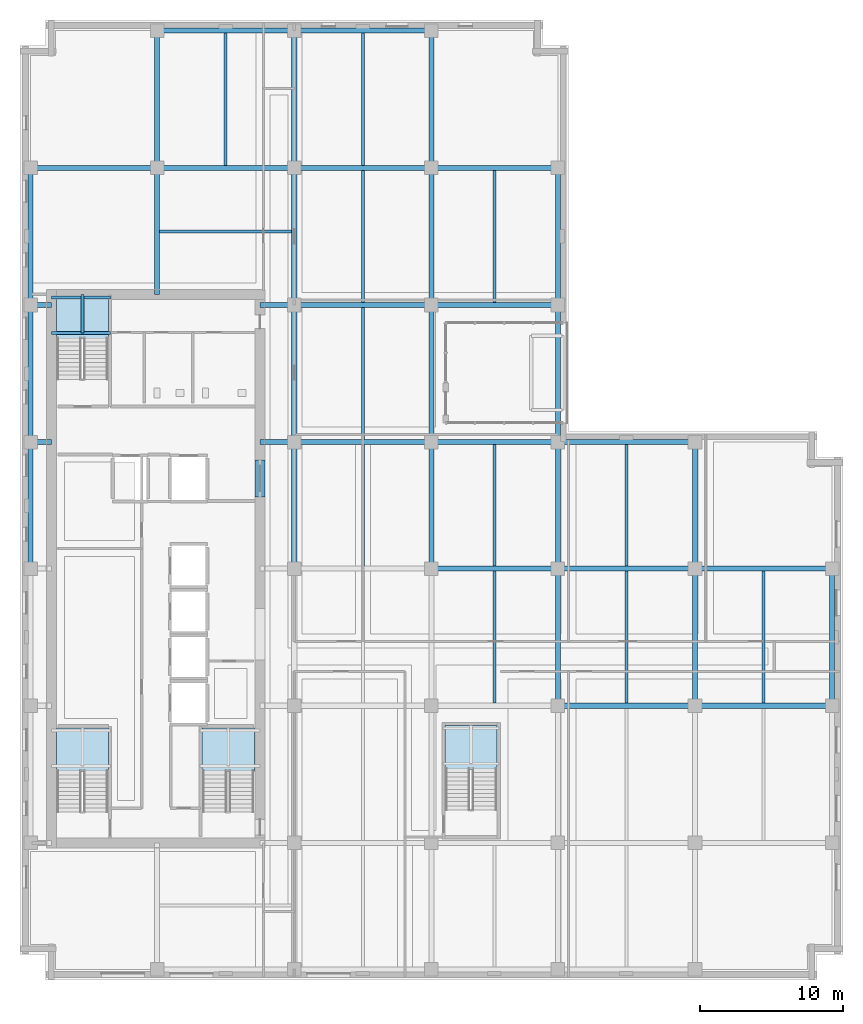
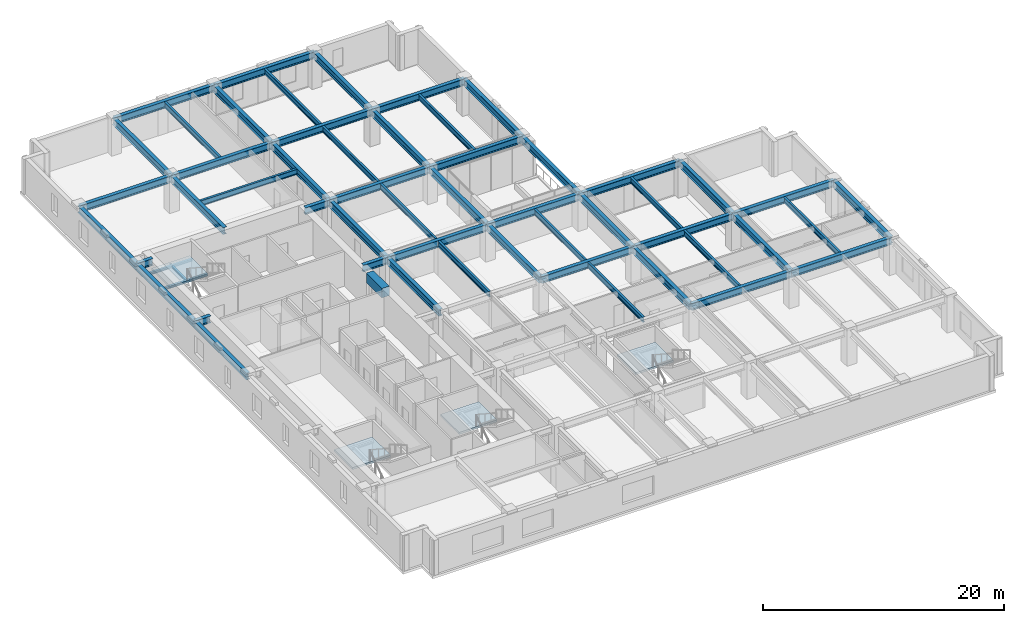
# One storey, part 2 of 16: 56 beams, 4 slabs, 4 elements without a shape of their own.
"""IFC4 building model written with IfcOpenShell, lengths in metres."""

from ifc_helpers import new_model, si_unit, direction, frame, origin, origin_2d, place, context, subcontext, project, spatial, polyline, rectangle, i_section, outline, extrude, material, layer, layer_set, material_profile, profile_set, type_object, element, aggregate, save


model = new_model("IFC4")

# Units and contexts
model_context = context("Model", 3, precision=1e-05, world=origin(), true_north=direction((0.0, 1.0)))
body_context = subcontext(model_context, "Body", "Model", "MODEL_VIEW")
ifc_project = project(units=[si_unit("LENGTHUNIT", "METRE"), si_unit("AREAUNIT", "SQUARE_METRE"), si_unit("VOLUMEUNIT", "CUBIC_METRE"), si_unit("PLANEANGLEUNIT", "RADIAN"), si_unit("MASSUNIT", "GRAM", prefix="KILO")], contexts=[model_context])

# Site, building, storey
site_placement = place(None, origin())
site = spatial("IfcSite", under=ifc_project, at=site_placement, CompositionType="ELEMENT")
building_placement = place(site_placement, origin())
building = spatial("IfcBuilding", under=site, at=building_placement, Name="Norrvale University Quadrangle", CompositionType="ELEMENT")
storey_placement = place(building_placement, frame((0.0, 0.0, 167.39990234375)))
storey = spatial("IfcBuildingStorey", under=building, at=storey_placement, Name="L42", CompositionType="ELEMENT", Elevation=167.39990234375)

# Beams
ifc_material_1 = material(Name="Steel 350W", Category="steel")
ifc_material_profile_1 = material_profile(ifc_material_1, i_section(OverallWidth=0.35498046875, OverallDepth=0.695068359375, WebThickness=0.015380859375, FlangeThickness=0.02490234375, FilletRadius=0.01806640625, at=origin_2d()), Name="Steel 350W")
ifc_profile_set_1 = profile_set([ifc_material_profile_1], Name="Steel 350W")
beam_type_1 = type_object("IfcBeamType", Name="Beam Belt W690x217", PredefinedType="BEAM", material=ifc_profile_set_1)
for number, where, z_axis, x_axis, name in (
    (1, (37.64990234375, 19.199951171875, 3.192626953125), (1.0, 0.0, 0.0), (0.0, 1.0, 0.0), "Beam Belt W690x217 BM-L42-GX011"),
    (2, (47.25, 19.199951171875, 3.192626953125), (1.0, 0.0, 0.0), (0.0, 1.0, 0.0), "Beam Belt W690x217 BM-L42-GX012"),
):
    element("IfcBeam", number, at=place(storey_placement, frame(where, z_axis=z_axis, x_axis=x_axis)), inside=storey, type_object=beam_type_1, Name=name, PredefinedType="BEAM", context=body_context, shape_type="SweptSolid", body=[
        extrude(i_section(OverallWidth=0.35498046875, OverallDepth=0.695068359375, WebThickness=0.015380859375, FlangeThickness=0.02490234375, FilletRadius=0.01806640625, at=origin_2d()), origin(), (0.0, 0.0, 1.0), 9.60009765625),
    ])
beam_1_placement = place(storey_placement, frame((28.800048828125, 28.800048828125, 3.192626953125), z_axis=(1.0, 0.0, 0.0), x_axis=(0.0, 1.0, 0.0)))
element("IfcBeam", 3, at=beam_1_placement, inside=storey, type_object=beam_type_1, Name="Beam Belt W690x217 BM-L42-GX014", PredefinedType="BEAM", context=body_context, shape_type="SweptSolid", body=[
    extrude(i_section(OverallWidth=0.35498046875, OverallDepth=0.695068359375, WebThickness=0.015380859375, FlangeThickness=0.02490234375, FilletRadius=0.01806640625, at=origin_2d()), origin(), (0.0, 0.0, 1.0), 8.849853515625),
])
for number, where, z_axis, x_axis, name in (
    (4, (37.64990234375, 28.800048828125, 3.192626953125), (1.0, 0.0, 0.0), (0.0, 1.0, 0.0), "Beam Belt W690x217 BM-L42-GX015"),
    (5, (47.25, 28.800048828125, 3.192626953125), (1.0, 0.0, 0.0), (0.0, 1.0, 0.0), "Beam Belt W690x217 BM-L42-GX016"),
    (6, (19.199951171875, 37.64990234375, 3.192626953125), (1.0, 0.0, 0.0), (0.0, 1.0, 0.0), "Beam Belt W690x217 BM-L42-GX017"),
):
    element("IfcBeam", number, at=place(storey_placement, frame(where, z_axis=z_axis, x_axis=x_axis)), inside=storey, type_object=beam_type_1, Name=name, PredefinedType="BEAM", context=body_context, shape_type="SweptSolid", body=[
        extrude(i_section(OverallWidth=0.35498046875, OverallDepth=0.695068359375, WebThickness=0.015380859375, FlangeThickness=0.02490234375, FilletRadius=0.01806640625, at=origin_2d()), origin(), (0.0, 0.0, 1.0), 9.60009765625),
    ])
beam_2_placement = place(storey_placement, frame((28.800048828125, 37.64990234375, 3.192626953125), z_axis=(1.0, 0.0, 0.0), x_axis=(0.0, 1.0, 0.0)))
element("IfcBeam", 7, at=beam_2_placement, inside=storey, type_object=beam_type_1, Name="Beam Belt W690x217 BM-L42-GX018", PredefinedType="BEAM", context=body_context, shape_type="SweptSolid", body=[
    extrude(i_section(OverallWidth=0.35498046875, OverallDepth=0.695068359375, WebThickness=0.015380859375, FlangeThickness=0.02490234375, FilletRadius=0.01806640625, at=origin_2d()), origin(), (0.0, 0.0, 1.0), 8.849853515625),
])
for number, where, z_axis, x_axis, name in (
    (8, (37.64990234375, 37.64990234375, 3.192626953125), (1.0, 0.0, 0.0), (0.0, 1.0, 0.0), "Beam Belt W690x217 BM-L42-GX019"),
    (9, (19.199951171875, 47.25, 3.192626953125), (1.0, 0.0, 0.0), (0.0, 1.0, 0.0), "Beam Belt W690x217 BM-L42-GX020"),
):
    element("IfcBeam", number, at=place(storey_placement, frame(where, z_axis=z_axis, x_axis=x_axis)), inside=storey, type_object=beam_type_1, Name=name, PredefinedType="BEAM", context=body_context, shape_type="SweptSolid", body=[
        extrude(i_section(OverallWidth=0.35498046875, OverallDepth=0.695068359375, WebThickness=0.015380859375, FlangeThickness=0.02490234375, FilletRadius=0.01806640625, at=origin_2d()), origin(), (0.0, 0.0, 1.0), 9.60009765625),
    ])
beam_3_placement = place(storey_placement, frame((28.800048828125, 47.25, 3.192626953125), z_axis=(1.0, 0.0, 0.0), x_axis=(0.0, 1.0, 0.0)))
element("IfcBeam", 10, at=beam_3_placement, inside=storey, type_object=beam_type_1, Name="Beam Belt W690x217 BM-L42-GX021", PredefinedType="BEAM", context=body_context, shape_type="SweptSolid", body=[
    extrude(i_section(OverallWidth=0.35498046875, OverallDepth=0.695068359375, WebThickness=0.015380859375, FlangeThickness=0.02490234375, FilletRadius=0.01806640625, at=origin_2d()), origin(), (0.0, 0.0, 1.0), 8.849853515625),
])
beam_4_placement = place(storey_placement, frame((0.75, 56.85009765625, 3.192626953125), z_axis=(1.0, 0.0, 0.0), x_axis=(0.0, 1.0, 0.0)))
element("IfcBeam", 11, at=beam_4_placement, inside=storey, type_object=beam_type_1, Name="Beam Belt W690x217 BM-L42-GX022", PredefinedType="BEAM", context=body_context, shape_type="SweptSolid", body=[
    extrude(i_section(OverallWidth=0.35498046875, OverallDepth=0.695068359375, WebThickness=0.015380859375, FlangeThickness=0.02490234375, FilletRadius=0.01806640625, at=origin_2d()), origin(), (0.0, 0.0, 1.0), 8.85009765625),
])
beam_5_placement = place(storey_placement, frame((9.60009765625, 56.85009765625, 3.192626953125), z_axis=(1.0, 0.0, 0.0), x_axis=(0.0, 1.0, 0.0)))
element("IfcBeam", 12, at=beam_5_placement, inside=storey, type_object=beam_type_1, Name="Beam Belt W690x217 BM-L42-GX023", PredefinedType="BEAM", context=body_context, shape_type="SweptSolid", body=[
    extrude(i_section(OverallWidth=0.35498046875, OverallDepth=0.695068359375, WebThickness=0.015380859375, FlangeThickness=0.02490234375, FilletRadius=0.01806640625, at=origin_2d()), origin(), (0.0, 0.0, 1.0), 9.599853515625),
])
beam_6_placement = place(storey_placement, frame((19.199951171875, 56.85009765625, 3.192626953125), z_axis=(1.0, 0.0, 0.0), x_axis=(0.0, 1.0, 0.0)))
element("IfcBeam", 13, at=beam_6_placement, inside=storey, type_object=beam_type_1, Name="Beam Belt W690x217 BM-L42-GX024", PredefinedType="BEAM", context=body_context, shape_type="SweptSolid", body=[
    extrude(i_section(OverallWidth=0.35498046875, OverallDepth=0.695068359375, WebThickness=0.015380859375, FlangeThickness=0.02490234375, FilletRadius=0.01806640625, at=origin_2d()), origin(), (0.0, 0.0, 1.0), 9.60009765625),
])
beam_7_placement = place(storey_placement, frame((28.800048828125, 56.85009765625, 3.192626953125), z_axis=(1.0, 0.0, 0.0), x_axis=(0.0, 1.0, 0.0)))
element("IfcBeam", 14, at=beam_7_placement, inside=storey, type_object=beam_type_1, Name="Beam Belt W690x217 BM-L42-GX025", PredefinedType="BEAM", context=body_context, shape_type="SweptSolid", body=[
    extrude(i_section(OverallWidth=0.35498046875, OverallDepth=0.695068359375, WebThickness=0.015380859375, FlangeThickness=0.02490234375, FilletRadius=0.01806640625, at=origin_2d()), origin(), (0.0, 0.0, 1.0), 8.849853515625),
])
beam_8_placement = place(storey_placement, frame((9.60009765625, 66.449951171875, 3.192626953125), z_axis=(1.0, 0.0, 0.0), x_axis=(0.0, 1.0, 0.0)))
element("IfcBeam", 15, at=beam_8_placement, inside=storey, type_object=beam_type_1, Name="Beam Belt W690x217 BM-L42-GX026", PredefinedType="BEAM", context=body_context, shape_type="SweptSolid", body=[
    extrude(i_section(OverallWidth=0.35498046875, OverallDepth=0.695068359375, WebThickness=0.015380859375, FlangeThickness=0.02490234375, FilletRadius=0.01806640625, at=origin_2d()), origin(), (0.0, 0.0, 1.0), 9.599853515625),
])
beam_9_placement = place(storey_placement, frame((19.199951171875, 66.449951171875, 3.192626953125), z_axis=(1.0, 0.0, 0.0), x_axis=(0.0, 1.0, 0.0)))
element("IfcBeam", 16, at=beam_9_placement, inside=storey, type_object=beam_type_1, Name="Beam Belt W690x217 BM-L42-GX027", PredefinedType="BEAM", context=body_context, shape_type="SweptSolid", body=[
    extrude(i_section(OverallWidth=0.35498046875, OverallDepth=0.695068359375, WebThickness=0.015380859375, FlangeThickness=0.02490234375, FilletRadius=0.01806640625, at=origin_2d()), origin(), (0.0, 0.0, 1.0), 9.60009765625),
])
beam_10_placement = place(storey_placement, frame((0.75, 28.800048828125, 3.192626953125), z_axis=(0.0, 1.0, 0.0), x_axis=(-1.0, 0.0, 0.0)))
element("IfcBeam", 17, at=beam_10_placement, inside=storey, type_object=beam_type_1, Name="Beam Belt W690x217 BM-L42-GY030", PredefinedType="BEAM", context=body_context, shape_type="SweptSolid", body=[
    extrude(i_section(OverallWidth=0.35498046875, OverallDepth=0.695068359375, WebThickness=0.015380859375, FlangeThickness=0.02490234375, FilletRadius=0.01806640625, at=origin_2d()), origin(), (0.0, 0.0, 1.0), 8.849853515625),
])
for number, where, z_axis, x_axis, name in (
    (18, (0.75, 37.64990234375, 3.192626953125), (0.0, 1.0, 0.0), (-1.0, 0.0, 0.0), "Beam Belt W690x217 BM-L42-GY031"),
    (19, (0.75, 47.25, 3.192626953125), (0.0, 1.0, 0.0), (-1.0, 0.0, 0.0), "Beam Belt W690x217 BM-L42-GY032"),
):
    element("IfcBeam", number, at=place(storey_placement, frame(where, z_axis=z_axis, x_axis=x_axis)), inside=storey, type_object=beam_type_1, Name=name, PredefinedType="BEAM", context=body_context, shape_type="SweptSolid", body=[
        extrude(i_section(OverallWidth=0.35498046875, OverallDepth=0.695068359375, WebThickness=0.015380859375, FlangeThickness=0.02490234375, FilletRadius=0.01806640625, at=origin_2d()), origin(), (0.0, 0.0, 1.0), 9.60009765625),
    ])
beam_11_placement = place(storey_placement, frame((9.60009765625, 56.85009765625, 3.192626953125), z_axis=(0.0, 1.0, 0.0), x_axis=(-1.0, 0.0, 0.0)))
element("IfcBeam", 20, at=beam_11_placement, inside=storey, type_object=beam_type_1, Name="Beam Belt W690x217 BM-L42-GY033", PredefinedType="BEAM", context=body_context, shape_type="SweptSolid", body=[
    extrude(i_section(OverallWidth=0.35498046875, OverallDepth=0.695068359375, WebThickness=0.015380859375, FlangeThickness=0.02490234375, FilletRadius=0.01806640625, at=origin_2d()), origin(), (0.0, 0.0, 1.0), 9.599853515625),
])
beam_12_placement = place(storey_placement, frame((19.199951171875, 28.800048828125, 3.192626953125), z_axis=(0.0, 1.0, 0.0), x_axis=(-1.0, 0.0, 0.0)))
element("IfcBeam", 21, at=beam_12_placement, inside=storey, type_object=beam_type_1, Name="Beam Belt W690x217 BM-L42-GY037", PredefinedType="BEAM", context=body_context, shape_type="SweptSolid", body=[
    extrude(i_section(OverallWidth=0.35498046875, OverallDepth=0.695068359375, WebThickness=0.015380859375, FlangeThickness=0.02490234375, FilletRadius=0.01806640625, at=origin_2d()), origin(), (0.0, 0.0, 1.0), 8.849853515625),
])
for number, where, z_axis, x_axis, name in (
    (22, (19.199951171875, 37.64990234375, 3.192626953125), (0.0, 1.0, 0.0), (-1.0, 0.0, 0.0), "Beam Belt W690x217 BM-L42-GY038"),
    (23, (19.199951171875, 47.25, 3.192626953125), (0.0, 1.0, 0.0), (-1.0, 0.0, 0.0), "Beam Belt W690x217 BM-L42-GY039"),
):
    element("IfcBeam", number, at=place(storey_placement, frame(where, z_axis=z_axis, x_axis=x_axis)), inside=storey, type_object=beam_type_1, Name=name, PredefinedType="BEAM", context=body_context, shape_type="SweptSolid", body=[
        extrude(i_section(OverallWidth=0.35498046875, OverallDepth=0.695068359375, WebThickness=0.015380859375, FlangeThickness=0.02490234375, FilletRadius=0.01806640625, at=origin_2d()), origin(), (0.0, 0.0, 1.0), 9.60009765625),
    ])
beam_13_placement = place(storey_placement, frame((19.199951171875, 56.85009765625, 3.192626953125), z_axis=(0.0, 1.0, 0.0), x_axis=(-1.0, 0.0, 0.0)))
element("IfcBeam", 24, at=beam_13_placement, inside=storey, type_object=beam_type_1, Name="Beam Belt W690x217 BM-L42-GY040", PredefinedType="BEAM", context=body_context, shape_type="SweptSolid", body=[
    extrude(i_section(OverallWidth=0.35498046875, OverallDepth=0.695068359375, WebThickness=0.015380859375, FlangeThickness=0.02490234375, FilletRadius=0.01806640625, at=origin_2d()), origin(), (0.0, 0.0, 1.0), 9.599853515625),
])
beam_14_placement = place(storey_placement, frame((28.800048828125, 28.800048828125, 3.192626953125), z_axis=(0.0, 1.0, 0.0), x_axis=(-1.0, 0.0, 0.0)))
element("IfcBeam", 25, at=beam_14_placement, inside=storey, type_object=beam_type_1, Name="Beam Belt W690x217 BM-L42-GY044", PredefinedType="BEAM", context=body_context, shape_type="SweptSolid", body=[
    extrude(i_section(OverallWidth=0.35498046875, OverallDepth=0.695068359375, WebThickness=0.015380859375, FlangeThickness=0.02490234375, FilletRadius=0.01806640625, at=origin_2d()), origin(), (0.0, 0.0, 1.0), 8.849853515625),
])
for number, where, z_axis, x_axis, name in (
    (26, (28.800048828125, 37.64990234375, 3.192626953125), (0.0, 1.0, 0.0), (-1.0, 0.0, 0.0), "Beam Belt W690x217 BM-L42-GY045"),
    (27, (28.800048828125, 47.25, 3.192626953125), (0.0, 1.0, 0.0), (-1.0, 0.0, 0.0), "Beam Belt W690x217 BM-L42-GY046"),
):
    element("IfcBeam", number, at=place(storey_placement, frame(where, z_axis=z_axis, x_axis=x_axis)), inside=storey, type_object=beam_type_1, Name=name, PredefinedType="BEAM", context=body_context, shape_type="SweptSolid", body=[
        extrude(i_section(OverallWidth=0.35498046875, OverallDepth=0.695068359375, WebThickness=0.015380859375, FlangeThickness=0.02490234375, FilletRadius=0.01806640625, at=origin_2d()), origin(), (0.0, 0.0, 1.0), 9.60009765625),
    ])
beam_15_placement = place(storey_placement, frame((28.800048828125, 56.85009765625, 3.192626953125), z_axis=(0.0, 1.0, 0.0), x_axis=(-1.0, 0.0, 0.0)))
element("IfcBeam", 28, at=beam_15_placement, inside=storey, type_object=beam_type_1, Name="Beam Belt W690x217 BM-L42-GY047", PredefinedType="BEAM", context=body_context, shape_type="SweptSolid", body=[
    extrude(i_section(OverallWidth=0.35498046875, OverallDepth=0.695068359375, WebThickness=0.015380859375, FlangeThickness=0.02490234375, FilletRadius=0.01806640625, at=origin_2d()), origin(), (0.0, 0.0, 1.0), 9.599853515625),
])
beam_16_placement = place(storey_placement, frame((37.64990234375, 19.199951171875, 3.192626953125), z_axis=(0.0, 1.0, 0.0), x_axis=(-1.0, 0.0, 0.0)))
element("IfcBeam", 29, at=beam_16_placement, inside=storey, type_object=beam_type_1, Name="Beam Belt W690x217 BM-L42-GY050", PredefinedType="BEAM", context=body_context, shape_type="SweptSolid", body=[
    extrude(i_section(OverallWidth=0.35498046875, OverallDepth=0.695068359375, WebThickness=0.015380859375, FlangeThickness=0.02490234375, FilletRadius=0.01806640625, at=origin_2d()), origin(), (0.0, 0.0, 1.0), 9.60009765625),
])
beam_17_placement = place(storey_placement, frame((37.64990234375, 28.800048828125, 3.192626953125), z_axis=(0.0, 1.0, 0.0), x_axis=(-1.0, 0.0, 0.0)))
element("IfcBeam", 30, at=beam_17_placement, inside=storey, type_object=beam_type_1, Name="Beam Belt W690x217 BM-L42-GY051", PredefinedType="BEAM", context=body_context, shape_type="SweptSolid", body=[
    extrude(i_section(OverallWidth=0.35498046875, OverallDepth=0.695068359375, WebThickness=0.015380859375, FlangeThickness=0.02490234375, FilletRadius=0.01806640625, at=origin_2d()), origin(), (0.0, 0.0, 1.0), 8.849853515625),
])
for number, where, z_axis, x_axis, name in (
    (31, (37.64990234375, 37.64990234375, 3.192626953125), (0.0, 1.0, 0.0), (-1.0, 0.0, 0.0), "Beam Belt W690x217 BM-L42-GY052"),
    (32, (37.64990234375, 47.25, 3.192626953125), (0.0, 1.0, 0.0), (-1.0, 0.0, 0.0), "Beam Belt W690x217 BM-L42-GY053"),
    (33, (47.25, 19.199951171875, 3.192626953125), (0.0, 1.0, 0.0), (-1.0, 0.0, 0.0), "Beam Belt W690x217 BM-L42-GY056"),
):
    element("IfcBeam", number, at=place(storey_placement, frame(where, z_axis=z_axis, x_axis=x_axis)), inside=storey, type_object=beam_type_1, Name=name, PredefinedType="BEAM", context=body_context, shape_type="SweptSolid", body=[
        extrude(i_section(OverallWidth=0.35498046875, OverallDepth=0.695068359375, WebThickness=0.015380859375, FlangeThickness=0.02490234375, FilletRadius=0.01806640625, at=origin_2d()), origin(), (0.0, 0.0, 1.0), 9.60009765625),
    ])
beam_18_placement = place(storey_placement, frame((47.25, 28.800048828125, 3.192626953125), z_axis=(0.0, 1.0, 0.0), x_axis=(-1.0, 0.0, 0.0)))
element("IfcBeam", 34, at=beam_18_placement, inside=storey, type_object=beam_type_1, Name="Beam Belt W690x217 BM-L42-GY057", PredefinedType="BEAM", context=body_context, shape_type="SweptSolid", body=[
    extrude(i_section(OverallWidth=0.35498046875, OverallDepth=0.695068359375, WebThickness=0.015380859375, FlangeThickness=0.02490234375, FilletRadius=0.01806640625, at=origin_2d()), origin(), (0.0, 0.0, 1.0), 8.849853515625),
])
beam_19_placement = place(storey_placement, frame((56.85009765625, 19.199951171875, 3.192626953125), z_axis=(0.0, 1.0, 0.0), x_axis=(-1.0, 0.0, 0.0)))
element("IfcBeam", 35, at=beam_19_placement, inside=storey, type_object=beam_type_1, Name="Beam Belt W690x217 BM-L42-GY059", PredefinedType="BEAM", context=body_context, shape_type="SweptSolid", body=[
    extrude(i_section(OverallWidth=0.35498046875, OverallDepth=0.695068359375, WebThickness=0.015380859375, FlangeThickness=0.02490234375, FilletRadius=0.01806640625, at=origin_2d()), origin(), (0.0, 0.0, 1.0), 9.60009765625),
])
beam_20_placement = place(storey_placement, frame((0.75, 37.64990234375, 3.192626953125), z_axis=(1.0, 0.0, 0.0), x_axis=(0.0, 1.0, 0.0)))
element("IfcBeam", 36, at=beam_20_placement, inside=storey, type_object=beam_type_1, Name="Beam Belt W690x217 BM-L42-GCW066", PredefinedType="BEAM", context=body_context, shape_type="SweptSolid", body=[
    extrude(i_section(OverallWidth=0.35498046875, OverallDepth=0.695068359375, WebThickness=0.015380859375, FlangeThickness=0.02490234375, FilletRadius=0.01806640625, at=origin_2d()), origin(), (0.0, 0.0, 1.0), 1.449951171875),
])
beam_21_placement = place(storey_placement, frame((16.800048828125, 37.64990234375, 3.192626953125), z_axis=(1.0, 0.0, 0.0), x_axis=(0.0, 1.0, 0.0)))
element("IfcBeam", 37, at=beam_21_placement, inside=storey, type_object=beam_type_1, Name="Beam Belt W690x217 BM-L42-GCE067", PredefinedType="BEAM", context=body_context, shape_type="SweptSolid", body=[
    extrude(i_section(OverallWidth=0.35498046875, OverallDepth=0.695068359375, WebThickness=0.015380859375, FlangeThickness=0.02490234375, FilletRadius=0.01806640625, at=origin_2d()), origin(), (0.0, 0.0, 1.0), 2.39990234375),
])
beam_22_placement = place(storey_placement, frame((0.75, 47.25, 3.192626953125), z_axis=(1.0, 0.0, 0.0), x_axis=(0.0, 1.0, 0.0)))
element("IfcBeam", 38, at=beam_22_placement, inside=storey, type_object=beam_type_1, Name="Beam Belt W690x217 BM-L42-GCW068", PredefinedType="BEAM", context=body_context, shape_type="SweptSolid", body=[
    extrude(i_section(OverallWidth=0.35498046875, OverallDepth=0.695068359375, WebThickness=0.015380859375, FlangeThickness=0.02490234375, FilletRadius=0.01806640625, at=origin_2d()), origin(), (0.0, 0.0, 1.0), 1.449951171875),
])
beam_23_placement = place(storey_placement, frame((16.800048828125, 47.25, 3.192626953125), z_axis=(1.0, 0.0, 0.0), x_axis=(0.0, 1.0, 0.0)))
element("IfcBeam", 39, at=beam_23_placement, inside=storey, type_object=beam_type_1, Name="Beam Belt W690x217 BM-L42-GCE069", PredefinedType="BEAM", context=body_context, shape_type="SweptSolid", body=[
    extrude(i_section(OverallWidth=0.35498046875, OverallDepth=0.695068359375, WebThickness=0.015380859375, FlangeThickness=0.02490234375, FilletRadius=0.01806640625, at=origin_2d()), origin(), (0.0, 0.0, 1.0), 2.39990234375),
])
beam_24_placement = place(storey_placement, frame((9.60009765625, 48.0, 3.192626953125), z_axis=(0.0, 1.0, 0.0), x_axis=(-1.0, 0.0, 0.0)))
element("IfcBeam", 40, at=beam_24_placement, inside=storey, type_object=beam_type_1, Name="Beam Belt W690x217 BM-L42-GCN090", PredefinedType="BEAM", context=body_context, shape_type="SweptSolid", body=[
    extrude(i_section(OverallWidth=0.35498046875, OverallDepth=0.695068359375, WebThickness=0.015380859375, FlangeThickness=0.02490234375, FilletRadius=0.01806640625, at=origin_2d()), origin(), (0.0, 0.0, 1.0), 8.85009765625),
])
ifc_material_2 = material(Name="Concrete C80/95", Category="concrete")
ifc_material_profile_2 = material_profile(ifc_material_2, rectangle(XDim=0.699951171875, YDim=0.949951171875, at=origin_2d()), Name="Concrete C80/95")
ifc_profile_set_2 = profile_set([ifc_material_profile_2], Name="Concrete C80/95")
beam_type_2 = type_object("IfcBeamType", Name="Beam Core Link 700x950", PredefinedType="LINTEL", material=ifc_profile_set_2)
beam_25_placement = place(storey_placement, frame((16.800048828125, 33.800048828125, 3.065185546875), z_axis=(0.0, 1.0, 0.0), x_axis=(-1.0, 0.0, 0.0)))
element("IfcBeam", 41, at=beam_25_placement, inside=storey, type_object=beam_type_2, Name="Core Coupling Lintel Beam L42-2", PredefinedType="LINTEL", context=body_context, shape_type="SweptSolid", body=[
    extrude(rectangle(XDim=0.699951171875, YDim=0.949951171875, at=origin_2d()), origin(), (0.0, 0.0, 1.0), 2.599853515625),
])
ifc_material_profile_3 = material_profile(ifc_material_1, i_section(OverallWidth=0.2119140625, OverallDepth=0.5439453125, WebThickness=0.01318359375, FlangeThickness=0.021240234375, FilletRadius=0.013916015625, at=origin_2d()), Name="Steel 350W")
ifc_profile_set_3 = profile_set([ifc_material_profile_3], Name="Steel 350W")
beam_type_3 = type_object("IfcBeamType", Name="Beam Floor W530x123", PredefinedType="BEAM", material=ifc_profile_set_3)
beam_26_placement = place(storey_placement, frame((14.39990234375, 57.027587890625, 3.26806640625), z_axis=(0.0, 1.0, 0.0), x_axis=(-1.0, 0.0, 0.0)))
element("IfcBeam", 42, at=beam_26_placement, inside=storey, type_object=beam_type_3, Name="Beam Floor W530x123 BM-L42-J070", PredefinedType="BEAM", context=body_context, shape_type="SweptSolid", body=[
    extrude(i_section(OverallWidth=0.2119140625, OverallDepth=0.5439453125, WebThickness=0.01318359375, FlangeThickness=0.021240234375, FilletRadius=0.013916015625, at=origin_2d()), origin(), (0.0, 0.0, 1.0), 9.244873046875),
])
beam_27_placement = place(storey_placement, frame((24.0, 28.9775390625, 3.26806640625), z_axis=(0.0, 1.0, 0.0), x_axis=(-1.0, 0.0, 0.0)))
element("IfcBeam", 43, at=beam_27_placement, inside=storey, type_object=beam_type_3, Name="Beam Floor W530x123 BM-L42-J074", PredefinedType="BEAM", context=body_context, shape_type="SweptSolid", body=[
    extrude(i_section(OverallWidth=0.2119140625, OverallDepth=0.5439453125, WebThickness=0.01318359375, FlangeThickness=0.021240234375, FilletRadius=0.013916015625, at=origin_2d()), origin(), (0.0, 0.0, 1.0), 8.494873046875),
])
for number, where, z_axis, x_axis, name in (
    (44, (24.0, 37.827392578125, 3.26806640625), (0.0, 1.0, 0.0), (-1.0, 0.0, 0.0), "Beam Floor W530x123 BM-L42-J075"),
    (45, (24.0, 47.427490234375, 3.26806640625), (0.0, 1.0, 0.0), (-1.0, 0.0, 0.0), "Beam Floor W530x123 BM-L42-J076"),
):
    element("IfcBeam", number, at=place(storey_placement, frame(where, z_axis=z_axis, x_axis=x_axis)), inside=storey, type_object=beam_type_3, Name=name, PredefinedType="BEAM", context=body_context, shape_type="SweptSolid", body=[
        extrude(i_section(OverallWidth=0.2119140625, OverallDepth=0.5439453125, WebThickness=0.01318359375, FlangeThickness=0.021240234375, FilletRadius=0.013916015625, at=origin_2d()), origin(), (0.0, 0.0, 1.0), 9.2451171875),
    ])
beam_28_placement = place(storey_placement, frame((24.0, 57.027587890625, 3.26806640625), z_axis=(0.0, 1.0, 0.0), x_axis=(-1.0, 0.0, 0.0)))
element("IfcBeam", 46, at=beam_28_placement, inside=storey, type_object=beam_type_3, Name="Beam Floor W530x123 BM-L42-J077", PredefinedType="BEAM", context=body_context, shape_type="SweptSolid", body=[
    extrude(i_section(OverallWidth=0.2119140625, OverallDepth=0.5439453125, WebThickness=0.01318359375, FlangeThickness=0.021240234375, FilletRadius=0.013916015625, at=origin_2d()), origin(), (0.0, 0.0, 1.0), 9.244873046875),
])
beam_29_placement = place(storey_placement, frame((33.22509765625, 19.37744140625, 3.26806640625), z_axis=(0.0, 1.0, 0.0), x_axis=(-1.0, 0.0, 0.0)))
element("IfcBeam", 47, at=beam_29_placement, inside=storey, type_object=beam_type_3, Name="Beam Floor W530x123 BM-L42-J079", PredefinedType="BEAM", context=body_context, shape_type="SweptSolid", body=[
    extrude(i_section(OverallWidth=0.2119140625, OverallDepth=0.5439453125, WebThickness=0.01318359375, FlangeThickness=0.021240234375, FilletRadius=0.013916015625, at=origin_2d()), origin(), (0.0, 0.0, 1.0), 9.2451171875),
])
beam_30_placement = place(storey_placement, frame((33.22509765625, 28.9775390625, 3.26806640625), z_axis=(0.0, 1.0, 0.0), x_axis=(-1.0, 0.0, 0.0)))
element("IfcBeam", 48, at=beam_30_placement, inside=storey, type_object=beam_type_3, Name="Beam Floor W530x123 BM-L42-J080", PredefinedType="BEAM", context=body_context, shape_type="SweptSolid", body=[
    extrude(i_section(OverallWidth=0.2119140625, OverallDepth=0.5439453125, WebThickness=0.01318359375, FlangeThickness=0.021240234375, FilletRadius=0.013916015625, at=origin_2d()), origin(), (0.0, 0.0, 1.0), 8.494873046875),
])
for number, where, z_axis, x_axis, name in (
    (49, (33.22509765625, 47.427490234375, 3.26806640625), (0.0, 1.0, 0.0), (-1.0, 0.0, 0.0), "Beam Floor W530x123 BM-L42-J081"),
    (50, (42.449951171875, 19.37744140625, 3.26806640625), (0.0, 1.0, 0.0), (-1.0, 0.0, 0.0), "Beam Floor W530x123 BM-L42-J084"),
):
    element("IfcBeam", number, at=place(storey_placement, frame(where, z_axis=z_axis, x_axis=x_axis)), inside=storey, type_object=beam_type_3, Name=name, PredefinedType="BEAM", context=body_context, shape_type="SweptSolid", body=[
        extrude(i_section(OverallWidth=0.2119140625, OverallDepth=0.5439453125, WebThickness=0.01318359375, FlangeThickness=0.021240234375, FilletRadius=0.013916015625, at=origin_2d()), origin(), (0.0, 0.0, 1.0), 9.2451171875),
    ])
beam_31_placement = place(storey_placement, frame((42.449951171875, 28.9775390625, 3.26806640625), z_axis=(0.0, 1.0, 0.0), x_axis=(-1.0, 0.0, 0.0)))
element("IfcBeam", 51, at=beam_31_placement, inside=storey, type_object=beam_type_3, Name="Beam Floor W530x123 BM-L42-J085", PredefinedType="BEAM", context=body_context, shape_type="SweptSolid", body=[
    extrude(i_section(OverallWidth=0.2119140625, OverallDepth=0.5439453125, WebThickness=0.01318359375, FlangeThickness=0.021240234375, FilletRadius=0.013916015625, at=origin_2d()), origin(), (0.0, 0.0, 1.0), 8.494873046875),
])
beam_32_placement = place(storey_placement, frame((52.050048828125, 19.37744140625, 3.26806640625), z_axis=(0.0, 1.0, 0.0), x_axis=(-1.0, 0.0, 0.0)))
element("IfcBeam", 52, at=beam_32_placement, inside=storey, type_object=beam_type_3, Name="Beam Floor W530x123 BM-L42-J087", PredefinedType="BEAM", context=body_context, shape_type="SweptSolid", body=[
    extrude(i_section(OverallWidth=0.2119140625, OverallDepth=0.5439453125, WebThickness=0.01318359375, FlangeThickness=0.021240234375, FilletRadius=0.013916015625, at=origin_2d()), origin(), (0.0, 0.0, 1.0), 9.2451171875),
])
beam_33_placement = place(storey_placement, frame((9.777587890625, 52.39990234375, 3.26806640625), z_axis=(1.0, 0.0, 0.0), x_axis=(0.0, 1.0, 0.0)))
element("IfcBeam", 53, at=beam_33_placement, inside=storey, type_object=beam_type_3, Name="Beam Floor W530x123 BM-L42-JCN091", PredefinedType="BEAM", context=body_context, shape_type="SweptSolid", body=[
    extrude(i_section(OverallWidth=0.2119140625, OverallDepth=0.5439453125, WebThickness=0.01318359375, FlangeThickness=0.021240234375, FilletRadius=0.013916015625, at=origin_2d()), origin(), (0.0, 0.0, 1.0), 9.244873046875),
])
ifc_material_profile_4 = material_profile(ifc_material_1, i_section(OverallWidth=0.201904296875, OverallDepth=0.2470703125, WebThickness=0.00732421875, FlangeThickness=0.010986328125, FilletRadius=0.011962890625, at=origin_2d()), Name="Steel 350W")
ifc_profile_set_4 = profile_set([ifc_material_profile_4], Name="Steel 350W")
beam_type_4 = type_object("IfcBeamType", Name="Beam Stair W250x49", PredefinedType="BEAM", material=ifc_profile_set_4)
for number, where, z_axis, x_axis, name in (
    (54, (2.199951171875, 45.2900390625, 1.57666015625), (1.0, 0.0, 0.0), (0.0, 1.0, 0.0), "Stair Mid-Landing Front Beam ST-02 L42"),
    (55, (2.199951171875, 47.77001953125, 1.57666015625), (1.0, 0.0, 0.0), (0.0, 1.0, 0.0), "Stair Mid-Landing Rear Beam ST-02 L42"),
):
    element("IfcBeam", number, at=place(storey_placement, frame(where, z_axis=z_axis, x_axis=x_axis)), inside=storey, type_object=beam_type_4, Name=name, PredefinedType="BEAM", context=body_context, shape_type="SweptSolid", body=[
        extrude(i_section(OverallWidth=0.201904296875, OverallDepth=0.2470703125, WebThickness=0.00732421875, FlangeThickness=0.010986328125, FilletRadius=0.011962890625, at=origin_2d()), origin(), (0.0, 0.0, 1.0), 4.14013671875),
    ])
ifc_material_profile_5 = material_profile(ifc_material_1, i_section(OverallWidth=0.202880859375, OverallDepth=0.202880859375, WebThickness=0.007080078125, FlangeThickness=0.010986328125, FilletRadius=0.010009765625, at=origin_2d()), Name="Steel 350W")
ifc_profile_set_5 = profile_set([ifc_material_profile_5], Name="Steel 350W")
beam_type_5 = type_object("IfcBeamType", Name="Beam Trim W200x46", PredefinedType="BEAM", material=ifc_profile_set_5)
beam_34_placement = place(storey_placement, frame((4.375, 45.2900390625, 1.5986328125), z_axis=(0.0, 1.0, 0.0), x_axis=(-1.0, 0.0, 0.0)))
element("IfcBeam", 56, at=beam_34_placement, inside=storey, type_object=beam_type_5, Name="Stair Mid-Landing Cross Beam ST-02 L42", PredefinedType="BEAM", context=body_context, shape_type="SweptSolid", body=[
    extrude(i_section(OverallWidth=0.202880859375, OverallDepth=0.202880859375, WebThickness=0.007080078125, FlangeThickness=0.010986328125, FilletRadius=0.010009765625, at=origin_2d()), origin(), (0.0, 0.0, 1.0), 2.7099609375),
])

# Stair, slab
ifc_material_3 = material(Name="Concrete C40/50", Category="concrete")
stair_type = type_object("IfcStairType", Name="Stair Tower Typ 3800", PredefinedType="TWO_STRAIGHT_RUN_STAIR", material=ifc_material_3)
stair_1_placement = place(storey_placement, origin())
stair_1 = element("IfcStair", 57, at=stair_1_placement, inside=storey, type_object=stair_type, Name="Exit Stair ST-01 L42", PredefinedType="TWO_STRAIGHT_RUN_STAIR")
ifc_layer = layer(ifc_material_3, 0.199951171875, Name="Concrete C40/50")
ifc_layer_set = layer_set([ifc_layer], Name="Concrete C40/50")
slab_type = type_object("IfcSlabType", Name="Slab Landing 200", PredefinedType="LANDING", material=ifc_layer_set)
slab_1_placement = place(storey_placement, frame((0.0, 0.0, 1.7001953125)))
slab_1 = element("IfcSlab", 58, at=slab_1_placement, type_object=slab_type, Name="Exit Stair ST-01 L42 Mid Landing", PredefinedType="LANDING", context=body_context, shape_type="SweptSolid", body=[
    extrude(outline(polyline([(2.550048828125, 14.590087890625), (6.199951171875, 14.590087890625), (6.199951171875, 17.64990234375), (2.550048828125, 17.64990234375), (2.550048828125, 14.590087890625)])), origin(), (0.0, 0.0, 1.0), 0.199951171875),
])
aggregate(stair_1, [slab_1])

stair_2_placement = place(storey_placement, origin())
stair_2 = element("IfcStair", 59, at=stair_2_placement, inside=storey, type_object=stair_type, Name="Exit Stair ST-02 L42", PredefinedType="TWO_STRAIGHT_RUN_STAIR")
slab_2_placement = place(storey_placement, frame((0.0, 0.0, 1.7001953125)))
slab_2 = element("IfcSlab", 60, at=slab_2_placement, type_object=slab_type, Name="Exit Stair ST-02 L42 Mid Landing", PredefinedType="LANDING", context=body_context, shape_type="SweptSolid", body=[
    extrude(outline(polyline([(2.550048828125, 44.889892578125), (6.199951171875, 44.889892578125), (6.199951171875, 47.949951171875), (2.550048828125, 47.949951171875), (2.550048828125, 44.889892578125)])), origin(), (0.0, 0.0, 1.0), 0.199951171875),
])
aggregate(stair_2, [slab_2])

stair_3_placement = place(storey_placement, origin())
stair_3 = element("IfcStair", 61, at=stair_3_placement, inside=storey, type_object=stair_type, Name="Exit Stair ST-03 L42", PredefinedType="TWO_STRAIGHT_RUN_STAIR")
slab_3_placement = place(storey_placement, frame((0.0, 0.0, 1.7001953125)))
slab_3 = element("IfcSlab", 62, at=slab_3_placement, type_object=slab_type, Name="Exit Stair ST-03 L42 Mid Landing", PredefinedType="LANDING", context=body_context, shape_type="SweptSolid", body=[
    extrude(outline(polyline([(12.75, 14.590087890625), (16.39990234375, 14.590087890625), (16.39990234375, 17.64990234375), (12.75, 17.64990234375), (12.75, 14.590087890625)])), origin(), (0.0, 0.0, 1.0), 0.199951171875),
])
aggregate(stair_3, [slab_3])

stair_4_placement = place(storey_placement, origin())
stair_4 = element("IfcStair", 63, at=stair_4_placement, inside=storey, type_object=stair_type, Name="Exit Stair ST-04 L42", PredefinedType="TWO_STRAIGHT_RUN_STAIR")
slab_4_placement = place(storey_placement, frame((0.0, 0.0, 1.7001953125)))
slab_4 = element("IfcSlab", 64, at=slab_4_placement, type_object=slab_type, Name="Exit Stair ST-04 L42 Mid Landing", PredefinedType="LANDING", context=body_context, shape_type="SweptSolid", body=[
    extrude(outline(polyline([(29.75, 14.739990234375), (33.39990234375, 14.739990234375), (33.39990234375, 17.800048828125), (29.75, 17.800048828125), (29.75, 14.739990234375)])), origin(), (0.0, 0.0, 1.0), 0.199951171875),
])
aggregate(stair_4, [slab_4])

save(model, "model.ifc")
